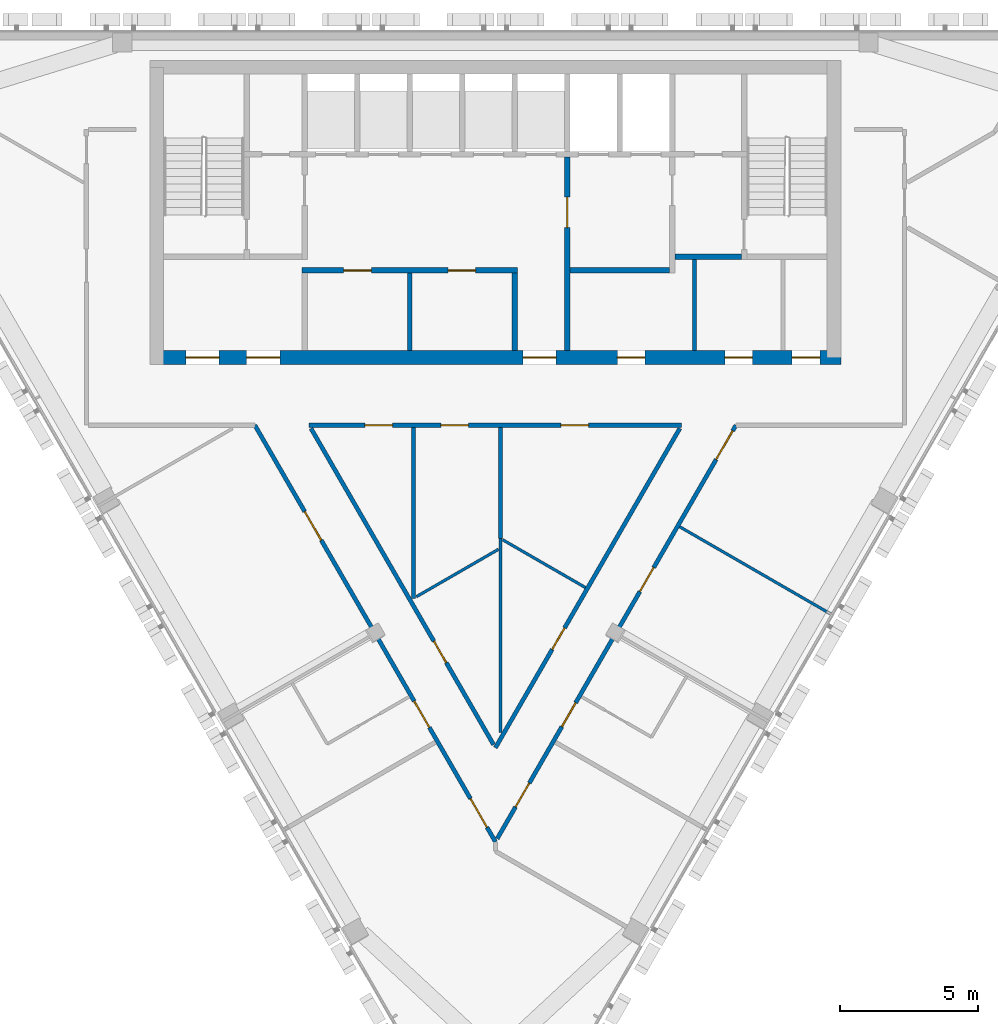
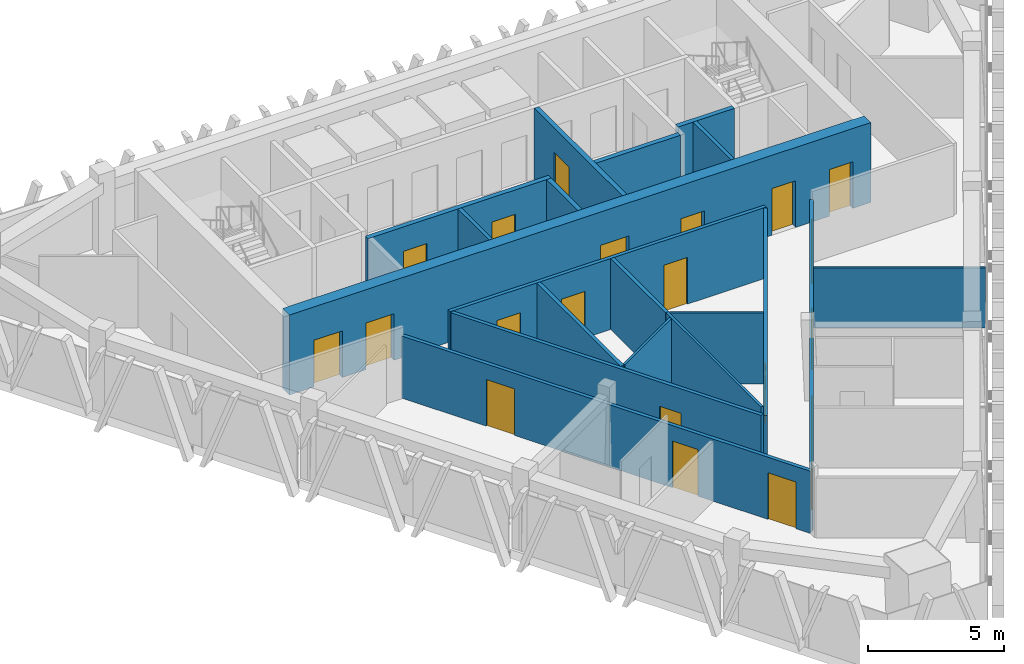
# One storey, part 8 of 14: 21 doors, 19 walls, 21 openings.
"""IFC4 building model written with IfcOpenShell, lengths in metres."""

from ifc_helpers import new_model, si_unit, direction, frame, frame_2d, origin, place, context, subcontext, project, spatial, rectangle, extrude, material, layer, layer_set, type_object, element, fill, save


model = new_model("IFC4")

# Units and contexts
model_context = context("Model", 3, precision=1e-05, world=origin(), true_north=direction((0.0, 1.0)))
body_context = subcontext(model_context, "Body", "Model", "MODEL_VIEW")
ifc_project = project(units=[si_unit("LENGTHUNIT", "METRE"), si_unit("AREAUNIT", "SQUARE_METRE"), si_unit("VOLUMEUNIT", "CUBIC_METRE"), si_unit("PLANEANGLEUNIT", "RADIAN"), si_unit("MASSUNIT", "GRAM", prefix="KILO")], contexts=[model_context])

# Site, building, storey
site_placement = place(None, origin())
site = spatial("IfcSite", under=ifc_project, at=site_placement, CompositionType="ELEMENT")
building_placement = place(site_placement, origin())
building = spatial("IfcBuilding", under=site, at=building_placement, Name="Altiplano Prism Tower", CompositionType="ELEMENT")
storey_placement = place(building_placement, frame((0.0, 0.0, 295.0)))
storey = spatial("IfcBuildingStorey", under=building, at=storey_placement, Name="L76", CompositionType="ELEMENT", Elevation=295.0)

# Wall, openings, doors
ifc_material_1 = material(Name="Concrete C60/75", Category="concrete")
ifc_layer_1 = layer(ifc_material_1, 0.5)
ifc_layer_set_1 = layer_set([ifc_layer_1], Name="Concrete C60/75")
wall_type_1 = type_object("IfcWallType", Name="Core wall 500", PredefinedType="SHEAR", material=ifc_layer_set_1)
wall_1_placement = place(storey_placement, frame((72.75, 93.14990234375, 0.0), z_axis=(0.0, 0.0, 1.0), x_axis=(1.0, 0.0, 0.0)))
wall_1 = element("IfcWall", 1, at=wall_1_placement, inside=storey, type_object=wall_type_1, Name="Core wall S L76", PredefinedType="SHEAR", context=body_context, shape_type="SweptSolid", body=[
    extrude(rectangle(XDim=24.75, YDim=0.5, at=frame_2d((12.375, 0.0))), origin(), (0.0, 0.0, 1.0), 3.60009765625),
])
opening_1_placement = place(wall_1_placement, frame((1.050048828125, 0.0, 0.0)))
opening_1 = element("IfcOpeningElement", 2, at=opening_1_placement, cuts=wall_1, Name="Opening D3653", PredefinedType="OPENING", context=body_context, shape_type="SweptSolid", body=[
    extrude(rectangle(XDim=1.199951171875, YDim=2.10009765625, at=frame_2d((0.60009765625, 1.050048828125))), frame((0.0, 0.260498046875, 0.0), z_axis=(0.0, -1.0, 0.0), x_axis=(1.0, 0.0, 0.0)), (0.0, 0.0, 1.0), 0.52099609375),
])
opening_2_placement = place(wall_1_placement, frame((3.25, 0.0, 0.0)))
opening_2 = element("IfcOpeningElement", 3, at=opening_2_placement, cuts=wall_1, Name="Opening D3654", PredefinedType="OPENING", context=body_context, shape_type="SweptSolid", body=[
    extrude(rectangle(XDim=1.199951171875, YDim=2.10009765625, at=frame_2d((0.60009765625, 1.050048828125))), frame((0.0, 0.260498046875, 0.0), z_axis=(0.0, -1.0, 0.0), x_axis=(1.0, 0.0, 0.0)), (0.0, 0.0, 1.0), 0.52099609375),
])
opening_3_placement = place(wall_1_placement, frame((13.25, 0.0, 0.0)))
opening_3 = element("IfcOpeningElement", 4, at=opening_3_placement, cuts=wall_1, Name="Opening D3655", PredefinedType="OPENING", context=body_context, shape_type="SweptSolid", body=[
    extrude(rectangle(XDim=1.199951171875, YDim=2.10009765625, at=frame_2d((0.60009765625, 1.050048828125))), frame((0.0, 0.260498046875, 0.0), z_axis=(0.0, -1.0, 0.0), x_axis=(1.0, 0.0, 0.0)), (0.0, 0.0, 1.0), 0.52099609375),
])
opening_4_placement = place(wall_1_placement, frame((16.66259765625, 0.0, 0.0)))
opening_4 = element("IfcOpeningElement", 5, at=opening_4_placement, cuts=wall_1, Name="Opening D3658", PredefinedType="OPENING", context=body_context, shape_type="SweptSolid", body=[
    extrude(rectangle(XDim=1.0, YDim=2.10009765625, at=frame_2d((0.5, 1.050048828125))), frame((0.0, 0.260498046875, 0.0), z_axis=(0.0, -1.0, 0.0), x_axis=(1.0, 0.0, 0.0)), (0.0, 0.0, 1.0), 0.52099609375),
])
opening_5_placement = place(wall_1_placement, frame((20.550048828125, 0.0, 0.0)))
opening_5 = element("IfcOpeningElement", 6, at=opening_5_placement, cuts=wall_1, Name="Opening D3659", PredefinedType="OPENING", context=body_context, shape_type="SweptSolid", body=[
    extrude(rectangle(XDim=1.0, YDim=2.10009765625, at=frame_2d((0.5, 1.050048828125))), frame((0.0, 0.260498046875, 0.0), z_axis=(0.0, -1.0, 0.0), x_axis=(1.0, 0.0, 0.0)), (0.0, 0.0, 1.0), 0.52099609375),
])
opening_6_placement = place(wall_1_placement, frame((22.987548828125, 0.0, 0.0)))
opening_6 = element("IfcOpeningElement", 7, at=opening_6_placement, cuts=wall_1, Name="Opening D3660", PredefinedType="OPENING", context=body_context, shape_type="SweptSolid", body=[
    extrude(rectangle(XDim=1.0, YDim=2.10009765625, at=frame_2d((0.5, 1.050048828125))), frame((0.0, 0.260498046875, 0.0), z_axis=(0.0, -1.0, 0.0), x_axis=(1.0, 0.0, 0.0)), (0.0, 0.0, 1.0), 0.52099609375),
])
ifc_material_2 = material(Name="Fire-rated steel door", Category="steel")
door_type_1 = type_object("IfcDoorType", Name="Core room door 1000 x 2100", OperationType="NOTDEFINED", PredefinedType="NOTDEFINED", material=ifc_material_2)
door_1_placement = place(opening_4_placement, origin())
door_1 = element("IfcDoor", 8, at=door_1_placement, inside=storey, type_object=door_type_1, Name="Core room door D3658", OperationType="SINGLE_SWING_RIGHT", OverallHeight=2.10009765625, OverallWidth=1.0, PredefinedType="NOTDEFINED", context=body_context, shape_type="SweptSolid", body=[
    extrude(rectangle(XDim=1.0, YDim=2.10009765625, at=frame_2d((0.5, 1.050048828125))), frame((0.0, 0.02490234375, 0.0), z_axis=(0.0, -1.0, 0.0), x_axis=(1.0, 0.0, 0.0)), (0.0, 0.0, 1.0), 0.050048828125),
])
fill(opening_4, door_1)
door_2_placement = place(opening_5_placement, origin())
door_2 = element("IfcDoor", 9, at=door_2_placement, inside=storey, type_object=door_type_1, Name="Core room door D3659", OperationType="SINGLE_SWING_LEFT", OverallHeight=2.10009765625, OverallWidth=1.0, PredefinedType="NOTDEFINED", context=body_context, shape_type="SweptSolid", body=[
    extrude(rectangle(XDim=1.0, YDim=2.10009765625, at=frame_2d((0.5, 1.050048828125))), frame((0.0, 0.02490234375, 0.0), z_axis=(0.0, -1.0, 0.0), x_axis=(1.0, 0.0, 0.0)), (0.0, 0.0, 1.0), 0.050048828125),
])
fill(opening_5, door_2)
door_3_placement = place(opening_6_placement, origin())
door_3 = element("IfcDoor", 10, at=door_3_placement, inside=storey, type_object=door_type_1, Name="Core room door D3660", OperationType="SINGLE_SWING_RIGHT", OverallHeight=2.10009765625, OverallWidth=1.0, PredefinedType="NOTDEFINED", context=body_context, shape_type="SweptSolid", body=[
    extrude(rectangle(XDim=1.0, YDim=2.10009765625, at=frame_2d((0.5, 1.050048828125))), frame((0.0, 0.02490234375, 0.0), z_axis=(0.0, -1.0, 0.0), x_axis=(1.0, 0.0, 0.0)), (0.0, 0.0, 1.0), 0.050048828125),
])
fill(opening_6, door_3)
door_type_2 = type_object("IfcDoorType", Name="Lobby fire door 1200 x 2100", OperationType="NOTDEFINED", PredefinedType="NOTDEFINED", material=ifc_material_2)
door_4_placement = place(opening_1_placement, origin())
door_4 = element("IfcDoor", 11, at=door_4_placement, inside=storey, type_object=door_type_2, Name="Lobby fire door D3653", OperationType="SINGLE_SWING_RIGHT", OverallHeight=2.10009765625, OverallWidth=1.199951171875, PredefinedType="NOTDEFINED", context=body_context, shape_type="SweptSolid", body=[
    extrude(rectangle(XDim=1.199951171875, YDim=2.10009765625, at=frame_2d((0.60009765625, 1.050048828125))), frame((0.0, 0.02490234375, 0.0), z_axis=(0.0, -1.0, 0.0), x_axis=(1.0, 0.0, 0.0)), (0.0, 0.0, 1.0), 0.050048828125),
])
fill(opening_1, door_4)
door_5_placement = place(opening_2_placement, origin())
door_5 = element("IfcDoor", 12, at=door_5_placement, inside=storey, type_object=door_type_2, Name="Lobby fire door D3654", OperationType="SINGLE_SWING_LEFT", OverallHeight=2.10009765625, OverallWidth=1.199951171875, PredefinedType="NOTDEFINED", context=body_context, shape_type="SweptSolid", body=[
    extrude(rectangle(XDim=1.199951171875, YDim=2.10009765625, at=frame_2d((0.60009765625, 1.050048828125))), frame((0.0, 0.02490234375, 0.0), z_axis=(0.0, -1.0, 0.0), x_axis=(1.0, 0.0, 0.0)), (0.0, 0.0, 1.0), 0.050048828125),
])
fill(opening_2, door_5)
door_6_placement = place(opening_3_placement, origin())
door_6 = element("IfcDoor", 13, at=door_6_placement, inside=storey, type_object=door_type_2, Name="Lobby fire door D3655", OperationType="SINGLE_SWING_RIGHT", OverallHeight=2.10009765625, OverallWidth=1.199951171875, PredefinedType="NOTDEFINED", context=body_context, shape_type="SweptSolid", body=[
    extrude(rectangle(XDim=1.199951171875, YDim=2.10009765625, at=frame_2d((0.60009765625, 1.050048828125))), frame((0.0, 0.02490234375, 0.0), z_axis=(0.0, -1.0, 0.0), x_axis=(1.0, 0.0, 0.0)), (0.0, 0.0, 1.0), 0.050048828125),
])
fill(opening_3, door_6)

# Walls
ifc_material_3 = material(Name="Plasterboard on steel stud", Category="steel")
ifc_layer_2 = layer(ifc_material_3, 0.10009765625)
ifc_layer_set_2 = layer_set([ifc_layer_2], Name="Plasterboard on steel stud")
wall_type_2 = type_object("IfcWallType", Name="Partition 100 wet", PredefinedType="PARTITIONING", material=ifc_layer_set_2)
wall_2_placement = place(storey_placement, frame((85.187744140625, 86.619140625, 0.0), z_axis=(0.0, 0.0, 1.0), x_axis=(0.0, -1.0, 0.0)))
element("IfcWall", 14, at=wall_2_placement, inside=storey, type_object=wall_type_2, Name="Partition P03 L76 012", PredefinedType="PARTITIONING", context=body_context, shape_type="SweptSolid", body=[
    extrude(rectangle(XDim=7.027587890625, YDim=0.10009765625, at=frame_2d((3.513671875, 0.0))), origin(), (0.0, 0.0, 1.0), 3.199951171875),
])
wall_3_placement = place(storey_placement, frame((88.259521484375, 84.82568359375, 0.0), z_axis=(0.0, 0.0, 1.0), x_axis=(-0.866024626421, 0.500001346431, 0.0)))
element("IfcWall", 15, at=wall_3_placement, inside=storey, type_object=wall_type_2, Name="Partition P03 L76 013", PredefinedType="PARTITIONING", context=body_context, shape_type="SweptSolid", body=[
    extrude(rectangle(XDim=3.46044921875, YDim=0.10009765625, at=frame_2d((1.730224609375, 0.0))), origin(), (0.0, 0.0, 1.0), 3.199951171875),
])
wall_4_placement = place(storey_placement, frame((85.112548828125, 86.2119140625, 0.0), z_axis=(0.0, 0.0, 1.0), x_axis=(-0.866024528585, -0.500001515888, 0.0)))
element("IfcWall", 16, at=wall_4_placement, inside=storey, type_object=wall_type_2, Name="Partition P03 L76 014", PredefinedType="PARTITIONING", context=body_context, shape_type="SweptSolid", body=[
    extrude(rectangle(XDim=3.43310546875, YDim=0.10009765625, at=frame_2d((1.716552734375, 0.0))), origin(), (0.0, 0.0, 1.0), 3.199951171875),
])
wall_5_placement = place(storey_placement, frame((97.16259765625, 83.85400390625, 0.0), z_axis=(0.0, 0.0, 1.0), x_axis=(-0.866042062017, 0.499971145986, 0.0)))
element("IfcWall", 17, at=wall_5_placement, inside=storey, type_object=wall_type_2, Name="Partition P03 L76 030", PredefinedType="PARTITIONING", context=body_context, shape_type="SweptSolid", body=[
    extrude(rectangle(XDim=6.344970703125, YDim=0.10009765625, at=frame_2d((3.17236328125, 0.0))), origin(), (0.0, 0.0, 1.0), 2.699951171875),
])

# Wall, opening, door
ifc_layer_3 = layer(ifc_material_3, 0.14990234375)
ifc_layer_set_3 = layer_set([ifc_layer_3], Name="Plasterboard on steel stud")
wall_type_3 = type_object("IfcWallType", Name="Partition 150 corridor", PredefinedType="PARTITIONING", material=ifc_layer_set_3)
wall_6_placement = place(storey_placement, frame((84.93505859375, 79.142578125, 0.0), z_axis=(0.0, 0.0, 1.0), x_axis=(-0.50000392811, 0.866023135877, 0.0)))
wall_6 = element("IfcWall", 18, at=wall_6_placement, inside=storey, type_object=wall_type_3, Name="Partition P06 L76 001", PredefinedType="PARTITIONING", context=body_context, shape_type="SweptSolid", body=[
    extrude(rectangle(XDim=13.21435546875, YDim=0.14990234375, at=frame_2d((6.607177734375, 0.0))), origin(), (0.0, 0.0, 1.0), 3.199951171875),
])
opening_7_placement = place(wall_6_placement, frame((3.424072265625, 0.0, 0.0)))
opening_7 = element("IfcOpeningElement", 19, at=opening_7_placement, cuts=wall_6, Name="Opening D2325", PredefinedType="OPENING", context=body_context, shape_type="SweptSolid", body=[
    extrude(rectangle(XDim=0.89990234375, YDim=2.10009765625, at=frame_2d((0.449951171875, 1.050048828125))), frame((0.0, 0.08544921875, 0.0), z_axis=(0.0, -1.0, 0.0), x_axis=(1.0, 0.0, 0.0)), (0.0, 0.0, 1.0), 0.1708984375),
])
ifc_material_4 = material(Name="Timber", Category="wood")
door_type_3 = type_object("IfcDoorType", Name="Toilet door 900 x 2100", OperationType="NOTDEFINED", PredefinedType="NOTDEFINED", material=ifc_material_4)
door_7_placement = place(opening_7_placement, origin())
door_7 = element("IfcDoor", 20, at=door_7_placement, inside=storey, type_object=door_type_3, Name="Door D2325", OperationType="SINGLE_SWING_LEFT", OverallHeight=2.10009765625, OverallWidth=0.89990234375, PredefinedType="NOTDEFINED", context=body_context, shape_type="SweptSolid", body=[
    extrude(rectangle(XDim=0.89990234375, YDim=2.10009765625, at=frame_2d((0.449951171875, 1.050048828125))), frame((0.0, 0.02490234375, 0.0), z_axis=(0.0, -1.0, 0.0), x_axis=(1.0, 0.0, 0.0)), (0.0, 0.0, 1.0), 0.050048828125),
])
fill(opening_7, door_7)

# Wall, openings, doors
wall_7_placement = place(storey_placement, frame((78.262939453125, 90.698974609375, 0.0), z_axis=(0.0, 0.0, 1.0), x_axis=(1.0, 0.0, 0.0)))
wall_7 = element("IfcWall", 21, at=wall_7_placement, inside=storey, type_object=wall_type_3, Name="Partition P06 L76 002", PredefinedType="PARTITIONING", context=body_context, shape_type="SweptSolid", body=[
    extrude(rectangle(XDim=13.47412109375, YDim=0.14990234375, at=frame_2d((6.737060546875, 0.0))), origin(), (0.0, 0.0, 1.0), 3.199951171875),
])
opening_8_placement = place(wall_7_placement, frame((2.01611328125, 0.0, 0.0)))
opening_8 = element("IfcOpeningElement", 22, at=opening_8_placement, cuts=wall_7, Name="Opening D2326", PredefinedType="OPENING", context=body_context, shape_type="SweptSolid", body=[
    extrude(rectangle(XDim=1.0, YDim=2.10009765625, at=frame_2d((0.5, 1.050048828125))), frame((0.0, 0.08544921875, 0.0), z_axis=(0.0, -1.0, 0.0), x_axis=(1.0, 0.0, 0.0)), (0.0, 0.0, 1.0), 0.1708984375),
])
opening_9_placement = place(wall_7_placement, frame((4.761962890625, 0.0, 0.0)))
opening_9 = element("IfcOpeningElement", 23, at=opening_9_placement, cuts=wall_7, Name="Opening D2327", PredefinedType="OPENING", context=body_context, shape_type="SweptSolid", body=[
    extrude(rectangle(XDim=1.0, YDim=2.10009765625, at=frame_2d((0.5, 1.050048828125))), frame((0.0, 0.08544921875, 0.0), z_axis=(0.0, -1.0, 0.0), x_axis=(1.0, 0.0, 0.0)), (0.0, 0.0, 1.0), 0.1708984375),
])
opening_10_placement = place(wall_7_placement, frame((9.10888671875, 0.0, 0.0)))
opening_10 = element("IfcOpeningElement", 24, at=opening_10_placement, cuts=wall_7, Name="Opening D2339", PredefinedType="OPENING", context=body_context, shape_type="SweptSolid", body=[
    extrude(rectangle(XDim=1.0, YDim=2.10009765625, at=frame_2d((0.5, 1.050048828125))), frame((0.0, 0.08544921875, 0.0), z_axis=(0.0, -1.0, 0.0), x_axis=(1.0, 0.0, 0.0)), (0.0, 0.0, 1.0), 0.1708984375),
])
door_type_4 = type_object("IfcDoorType", Name="Room door 1000 x 2100", OperationType="NOTDEFINED", PredefinedType="NOTDEFINED", material=ifc_material_4)
door_8_placement = place(opening_9_placement, origin())
door_8 = element("IfcDoor", 25, at=door_8_placement, inside=storey, type_object=door_type_4, Name="Door D2327", OperationType="SINGLE_SWING_RIGHT", OverallHeight=2.10009765625, OverallWidth=1.0, PredefinedType="NOTDEFINED", context=body_context, shape_type="SweptSolid", body=[
    extrude(rectangle(XDim=1.0, YDim=2.10009765625, at=frame_2d((0.5, 1.050048828125))), frame((0.0, 0.02490234375, 0.0), z_axis=(0.0, -1.0, 0.0), x_axis=(1.0, 0.0, 0.0)), (0.0, 0.0, 1.0), 0.050048828125),
])
fill(opening_9, door_8)
door_9_placement = place(opening_10_placement, origin())
door_9 = element("IfcDoor", 26, at=door_9_placement, inside=storey, type_object=door_type_4, Name="Door D2339", OperationType="SINGLE_SWING_RIGHT", OverallHeight=2.10009765625, OverallWidth=1.0, PredefinedType="NOTDEFINED", context=body_context, shape_type="SweptSolid", body=[
    extrude(rectangle(XDim=1.0, YDim=2.10009765625, at=frame_2d((0.5, 1.050048828125))), frame((0.0, 0.02490234375, 0.0), z_axis=(0.0, -1.0, 0.0), x_axis=(1.0, 0.0, 0.0)), (0.0, 0.0, 1.0), 0.050048828125),
])
fill(opening_10, door_9)
door_type_5 = type_object("IfcDoorType", Name="Store door 1000 x 2100", OperationType="NOTDEFINED", PredefinedType="NOTDEFINED", material=ifc_material_4)
door_10_placement = place(opening_8_placement, origin())
door_10 = element("IfcDoor", 27, at=door_10_placement, inside=storey, type_object=door_type_5, Name="Door D2326", OperationType="SINGLE_SWING_RIGHT", OverallHeight=2.10009765625, OverallWidth=1.0, PredefinedType="NOTDEFINED", context=body_context, shape_type="SweptSolid", body=[
    extrude(rectangle(XDim=1.0, YDim=2.10009765625, at=frame_2d((0.5, 1.050048828125))), frame((0.0, 0.02490234375, 0.0), z_axis=(0.0, -1.0, 0.0), x_axis=(1.0, 0.0, 0.0)), (0.0, 0.0, 1.0), 0.050048828125),
])
fill(opening_8, door_10)

wall_8_placement = place(storey_placement, frame((76.298095703125, 90.699951171875, 0.0), z_axis=(0.0, 0.0, 1.0), x_axis=(0.5000029578, -0.866023696091, 0.0)))
wall_8 = element("IfcWall", 28, at=wall_8_placement, inside=storey, type_object=wall_type_3, Name="Partition P06 L76 005", PredefinedType="PARTITIONING", context=body_context, shape_type="SweptSolid", body=[
    extrude(rectangle(XDim=17.40380859375, YDim=0.14990234375, at=frame_2d((8.701904296875, 0.0))), origin(), (0.0, 0.0, 1.0), 2.800048828125),
])
opening_11_placement = place(wall_8_placement, frame((3.60400390625, 0.0, 0.0)))
opening_11 = element("IfcOpeningElement", 29, at=opening_11_placement, cuts=wall_8, Name="Opening D2329", PredefinedType="OPENING", context=body_context, shape_type="SweptSolid", body=[
    extrude(rectangle(XDim=1.199951171875, YDim=2.10009765625, at=frame_2d((0.60009765625, 1.050048828125))), frame((0.0, 0.08544921875, 0.0), z_axis=(0.0, -1.0, 0.0), x_axis=(1.0, 0.0, 0.0)), (0.0, 0.0, 1.0), 0.1708984375),
])
opening_12_placement = place(wall_8_placement, frame((11.528076171875, 0.0, 0.0)))
opening_12 = element("IfcOpeningElement", 30, at=opening_12_placement, cuts=wall_8, Name="Opening D2330", PredefinedType="OPENING", context=body_context, shape_type="SweptSolid", body=[
    extrude(rectangle(XDim=1.10009765625, YDim=2.10009765625, at=frame_2d((0.550048828125, 1.050048828125))), frame((0.0, 0.08544921875, 0.0), z_axis=(0.0, -1.0, 0.0), x_axis=(1.0, 0.0, 0.0)), (0.0, 0.0, 1.0), 0.1708984375),
])
opening_13_placement = place(wall_8_placement, frame((15.59912109375, 0.0, 0.0)))
opening_13 = element("IfcOpeningElement", 31, at=opening_13_placement, cuts=wall_8, Name="Opening D2332", PredefinedType="OPENING", context=body_context, shape_type="SweptSolid", body=[
    extrude(rectangle(XDim=1.199951171875, YDim=2.10009765625, at=frame_2d((0.60009765625, 1.050048828125))), frame((0.0, 0.08544921875, 0.0), z_axis=(0.0, -1.0, 0.0), x_axis=(1.0, 0.0, 0.0)), (0.0, 0.0, 1.0), 0.1708984375),
])
door_type_6 = type_object("IfcDoorType", Name="Accessible bedroom door 1100 x 2100", OperationType="NOTDEFINED", PredefinedType="NOTDEFINED", material=ifc_material_4)
door_11_placement = place(opening_12_placement, origin())
door_11 = element("IfcDoor", 32, at=door_11_placement, inside=storey, type_object=door_type_6, Name="Door D2330", OperationType="SINGLE_SWING_RIGHT", OverallHeight=2.10009765625, OverallWidth=1.10009765625, PredefinedType="NOTDEFINED", context=body_context, shape_type="SweptSolid", body=[
    extrude(rectangle(XDim=1.10009765625, YDim=2.10009765625, at=frame_2d((0.550048828125, 1.050048828125))), frame((0.0, 0.02490234375, 0.0), z_axis=(0.0, -1.0, 0.0), x_axis=(1.0, 0.0, 0.0)), (0.0, 0.0, 1.0), 0.050048828125),
])
fill(opening_12, door_11)
door_type_7 = type_object("IfcDoorType", Name="Shared room door 1200 x 2100", OperationType="NOTDEFINED", PredefinedType="NOTDEFINED", material=ifc_material_4)
door_12_placement = place(opening_11_placement, origin())
door_12 = element("IfcDoor", 33, at=door_12_placement, inside=storey, type_object=door_type_7, Name="Door D2329", OperationType="SINGLE_SWING_LEFT", OverallHeight=2.10009765625, OverallWidth=1.199951171875, PredefinedType="NOTDEFINED", context=body_context, shape_type="SweptSolid", body=[
    extrude(rectangle(XDim=1.199951171875, YDim=2.10009765625, at=frame_2d((0.60009765625, 1.050048828125))), frame((0.0, 0.02490234375, 0.0), z_axis=(0.0, -1.0, 0.0), x_axis=(1.0, 0.0, 0.0)), (0.0, 0.0, 1.0), 0.050048828125),
])
fill(opening_11, door_12)
door_13_placement = place(opening_13_placement, origin())
door_13 = element("IfcDoor", 34, at=door_13_placement, inside=storey, type_object=door_type_7, Name="Door D2332", OperationType="SINGLE_SWING_RIGHT", OverallHeight=2.10009765625, OverallWidth=1.199951171875, PredefinedType="NOTDEFINED", context=body_context, shape_type="SweptSolid", body=[
    extrude(rectangle(XDim=1.199951171875, YDim=2.10009765625, at=frame_2d((0.60009765625, 1.050048828125))), frame((0.0, 0.02490234375, 0.0), z_axis=(0.0, -1.0, 0.0), x_axis=(1.0, 0.0, 0.0)), (0.0, 0.0, 1.0), 0.050048828125),
])
fill(opening_13, door_13)

wall_9_placement = place(storey_placement, frame((85.06494140625, 75.740478515625, 0.0), z_axis=(0.0, 0.0, 1.0), x_axis=(0.500004659904, 0.866022713371, 0.0)))
wall_9 = element("IfcWall", 35, at=wall_9_placement, inside=storey, type_object=wall_type_3, Name="Partition P06 L76 006", PredefinedType="PARTITIONING", context=body_context, shape_type="SweptSolid", body=[
    extrude(rectangle(XDim=17.273681640625, YDim=0.14990234375, at=frame_2d((8.63671875, 0.0))), origin(), (0.0, 0.0, 1.0), 2.800048828125),
])
opening_14_placement = place(wall_9_placement, frame((1.326904296875, 0.0, 0.0)))
opening_14 = element("IfcOpeningElement", 36, at=opening_14_placement, cuts=wall_9, Name="Opening D2333", PredefinedType="OPENING", context=body_context, shape_type="SweptSolid", body=[
    extrude(rectangle(XDim=1.0, YDim=2.10009765625, at=frame_2d((0.5, 1.050048828125))), frame((0.0, 0.08544921875, 0.0), z_axis=(0.0, -1.0, 0.0), x_axis=(1.0, 0.0, 0.0)), (0.0, 0.0, 1.0), 0.1708984375),
])
opening_15_placement = place(wall_9_placement, frame((4.679931640625, 0.0, 0.0)))
opening_15 = element("IfcOpeningElement", 37, at=opening_15_placement, cuts=wall_9, Name="Opening D2334", PredefinedType="OPENING", context=body_context, shape_type="SweptSolid", body=[
    extrude(rectangle(XDim=1.0, YDim=2.10009765625, at=frame_2d((0.5, 1.050048828125))), frame((0.0, 0.08544921875, 0.0), z_axis=(0.0, -1.0, 0.0), x_axis=(1.0, 0.0, 0.0)), (0.0, 0.0, 1.0), 0.1708984375),
])
opening_16_placement = place(wall_9_placement, frame((10.324951171875, 0.0, 0.0)))
opening_16 = element("IfcOpeningElement", 38, at=opening_16_placement, cuts=wall_9, Name="Opening D2336", PredefinedType="OPENING", context=body_context, shape_type="SweptSolid", body=[
    extrude(rectangle(XDim=1.0, YDim=2.10009765625, at=frame_2d((0.5, 1.050048828125))), frame((0.0, 0.08544921875, 0.0), z_axis=(0.0, -1.0, 0.0), x_axis=(1.0, 0.0, 0.0)), (0.0, 0.0, 1.0), 0.1708984375),
])
opening_17_placement = place(wall_9_placement, frame((15.841064453125, 0.0, 0.0)))
opening_17 = element("IfcOpeningElement", 39, at=opening_17_placement, cuts=wall_9, Name="Opening D2337", PredefinedType="OPENING", context=body_context, shape_type="SweptSolid", body=[
    extrude(rectangle(XDim=1.199951171875, YDim=2.10009765625, at=frame_2d((0.60009765625, 1.050048828125))), frame((0.0, 0.08544921875, 0.0), z_axis=(0.0, -1.0, 0.0), x_axis=(1.0, 0.0, 0.0)), (0.0, 0.0, 1.0), 0.1708984375),
])
door_type_8 = type_object("IfcDoorType", Name="Bedroom entrance door 1000 x 2100", OperationType="NOTDEFINED", PredefinedType="NOTDEFINED", material=ifc_material_4)
door_14_placement = place(opening_15_placement, origin())
door_14 = element("IfcDoor", 40, at=door_14_placement, inside=storey, type_object=door_type_8, Name="Door D2334", OperationType="SINGLE_SWING_LEFT", OverallHeight=2.10009765625, OverallWidth=1.0, PredefinedType="NOTDEFINED", context=body_context, shape_type="SweptSolid", body=[
    extrude(rectangle(XDim=1.0, YDim=2.10009765625, at=frame_2d((0.5, 1.050048828125))), frame((0.0, 0.02490234375, 0.0), z_axis=(0.0, -1.0, 0.0), x_axis=(1.0, 0.0, 0.0)), (0.0, 0.0, 1.0), 0.050048828125),
])
fill(opening_15, door_14)
door_15_placement = place(opening_14_placement, origin())
door_15 = element("IfcDoor", 41, at=door_15_placement, inside=storey, type_object=door_type_4, Name="Door D2333", OperationType="SINGLE_SWING_LEFT", OverallHeight=2.10009765625, OverallWidth=1.0, PredefinedType="NOTDEFINED", context=body_context, shape_type="SweptSolid", body=[
    extrude(rectangle(XDim=1.0, YDim=2.10009765625, at=frame_2d((0.5, 1.050048828125))), frame((0.0, 0.02490234375, 0.0), z_axis=(0.0, -1.0, 0.0), x_axis=(1.0, 0.0, 0.0)), (0.0, 0.0, 1.0), 0.050048828125),
])
fill(opening_14, door_15)
door_16_placement = place(opening_16_placement, origin())
door_16 = element("IfcDoor", 42, at=door_16_placement, inside=storey, type_object=door_type_4, Name="Door D2336", OperationType="SINGLE_SWING_RIGHT", OverallHeight=2.10009765625, OverallWidth=1.0, PredefinedType="NOTDEFINED", context=body_context, shape_type="SweptSolid", body=[
    extrude(rectangle(XDim=1.0, YDim=2.10009765625, at=frame_2d((0.5, 1.050048828125))), frame((0.0, 0.02490234375, 0.0), z_axis=(0.0, -1.0, 0.0), x_axis=(1.0, 0.0, 0.0)), (0.0, 0.0, 1.0), 0.050048828125),
])
fill(opening_16, door_16)
door_17_placement = place(opening_17_placement, origin())
door_17 = element("IfcDoor", 43, at=door_17_placement, inside=storey, type_object=door_type_7, Name="Door D2337", OperationType="SINGLE_SWING_LEFT", OverallHeight=2.10009765625, OverallWidth=1.199951171875, PredefinedType="NOTDEFINED", context=body_context, shape_type="SweptSolid", body=[
    extrude(rectangle(XDim=1.199951171875, YDim=2.10009765625, at=frame_2d((0.60009765625, 1.050048828125))), frame((0.0, 0.02490234375, 0.0), z_axis=(0.0, -1.0, 0.0), x_axis=(1.0, 0.0, 0.0)), (0.0, 0.0, 1.0), 0.050048828125),
])
fill(opening_17, door_17)

# Wall, opening, door
wall_10_placement = place(storey_placement, frame((91.672119140625, 90.58642578125, 0.0), z_axis=(0.0, 0.0, 1.0), x_axis=(-0.500001715324, -0.866024413439, 0.0)))
wall_10 = element("IfcWall", 44, at=wall_10_placement, inside=storey, type_object=wall_type_3, Name="Partition P06 L76 009", PredefinedType="PARTITIONING", context=body_context, shape_type="SweptSolid", body=[
    extrude(rectangle(XDim=13.34423828125, YDim=0.14990234375, at=frame_2d((6.672119140625, 0.0))), origin(), (0.0, 0.0, 1.0), 3.199951171875),
])
opening_18_placement = place(wall_10_placement, frame((8.3369140625, 0.0, 0.0)))
opening_18 = element("IfcOpeningElement", 45, at=opening_18_placement, cuts=wall_10, Name="Opening D2324", PredefinedType="OPENING", context=body_context, shape_type="SweptSolid", body=[
    extrude(rectangle(XDim=0.89990234375, YDim=2.10009765625, at=frame_2d((0.449951171875, 1.050048828125))), frame((0.0, 0.08544921875, 0.0), z_axis=(0.0, -1.0, 0.0), x_axis=(1.0, 0.0, 0.0)), (0.0, 0.0, 1.0), 0.1708984375),
])
door_18_placement = place(opening_18_placement, origin())
door_18 = element("IfcDoor", 46, at=door_18_placement, inside=storey, type_object=door_type_3, Name="Door D2324", OperationType="SINGLE_SWING_RIGHT", OverallHeight=2.10009765625, OverallWidth=0.89990234375, PredefinedType="NOTDEFINED", context=body_context, shape_type="SweptSolid", body=[
    extrude(rectangle(XDim=0.89990234375, YDim=2.10009765625, at=frame_2d((0.449951171875, 1.050048828125))), frame((0.0, 0.02490234375, 0.0), z_axis=(0.0, -1.0, 0.0), x_axis=(1.0, 0.0, 0.0)), (0.0, 0.0, 1.0), 0.050048828125),
])
fill(opening_18, door_18)

# Walls
ifc_layer_4 = layer(ifc_material_3, 0.14990234375)
ifc_layer_set_4 = layer_set([ifc_layer_4], Name="Plasterboard on steel stud")
wall_type_4 = type_object("IfcWallType", Name="Partition 150 party", PredefinedType="PARTITIONING", material=ifc_layer_set_4)
wall_11_placement = place(storey_placement, frame((82.039306640625, 84.4375, 0.0), z_axis=(0.0, 0.0, 1.0), x_axis=(0.0, 1.0, 0.0)))
element("IfcWall", 47, at=wall_11_placement, inside=storey, type_object=wall_type_4, Name="Partition P01 L76 015", PredefinedType="PARTITIONING", context=body_context, shape_type="SweptSolid", body=[
    extrude(rectangle(XDim=6.1865234375, YDim=0.14990234375, at=frame_2d((3.09326171875, 0.0))), origin(), (0.0, 0.0, 1.0), 3.199951171875),
])
wall_12_placement = place(storey_placement, frame((85.187744140625, 86.59912109375, 0.0), z_axis=(0.0, 0.0, 1.0), x_axis=(0.0, 1.0, 0.0)))
element("IfcWall", 48, at=wall_12_placement, inside=storey, type_object=wall_type_4, Name="Partition P01 L76 016", PredefinedType="PARTITIONING", context=body_context, shape_type="SweptSolid", body=[
    extrude(rectangle(XDim=4.02490234375, YDim=0.14990234375, at=frame_2d((2.012451171875, 0.0))), origin(), (0.0, 0.0, 1.0), 3.199951171875),
])
ifc_material_5 = material(Name="Fire-rated gypsum board partition")
ifc_layer_5 = layer(ifc_material_5, 0.14990234375)
ifc_layer_set_5 = layer_set([ifc_layer_5], Name="Fire-rated gypsum board partition")
wall_type_5 = type_object("IfcWallType", Name="Room partition 150", PredefinedType="PARTITIONING", material=ifc_layer_set_5)
wall_13_placement = place(storey_placement, frame((81.89990234375, 93.39990234375, 0.0), z_axis=(0.0, 0.0, 1.0), x_axis=(0.0, 1.0, 0.0)))
element("IfcWall", 49, at=wall_13_placement, inside=storey, type_object=wall_type_5, Name="Room partition L76", PredefinedType="PARTITIONING", context=body_context, shape_type="SweptSolid", body=[
    extrude(rectangle(XDim=2.800048828125, YDim=0.14990234375, at=frame_2d((1.39990234375, 0.0))), origin(), (0.0, 0.0, 1.0), 3.199951171875),
])
wall_14_placement = place(storey_placement, frame((92.199951171875, 93.39990234375, 0.0), z_axis=(0.0, 0.0, 1.0), x_axis=(0.0, 1.0, 0.0)))
element("IfcWall", 50, at=wall_14_placement, inside=storey, type_object=wall_type_5, Name="Room partition L76", PredefinedType="PARTITIONING", context=body_context, shape_type="SweptSolid", body=[
    extrude(rectangle(XDim=3.300048828125, YDim=0.14990234375, at=frame_2d((1.64990234375, 0.0))), origin(), (0.0, 0.0, 1.0), 3.199951171875),
])
ifc_layer_6 = layer(ifc_material_1, 0.199951171875)
ifc_layer_set_6 = layer_set([ifc_layer_6], Name="Concrete C60/75")
wall_type_6 = type_object("IfcWallType", Name="Vestibule wall 200", PredefinedType="PARTITIONING", material=ifc_layer_set_6)
wall_15_placement = place(storey_placement, frame((85.699951171875, 93.39990234375, 0.0), z_axis=(0.0, 0.0, 1.0), x_axis=(0.0, 1.0, 0.0)))
element("IfcWall", 51, at=wall_15_placement, inside=storey, type_object=wall_type_6, Name="Vestibule wall L76", PredefinedType="PARTITIONING", context=body_context, shape_type="SweptSolid", body=[
    extrude(rectangle(XDim=2.800048828125, YDim=0.199951171875, at=frame_2d((1.39990234375, 0.0))), origin(), (0.0, 0.0, 1.0), 3.199951171875),
])

# Wall, opening, door
wall_16_placement = place(storey_placement, frame((87.60009765625, 93.39990234375, 0.0), z_axis=(0.0, 0.0, 1.0), x_axis=(0.0, 1.0, 0.0)))
wall_16 = element("IfcWall", 52, at=wall_16_placement, inside=storey, type_object=wall_type_6, Name="Vestibule wall L76", PredefinedType="PARTITIONING", context=body_context, shape_type="SweptSolid", body=[
    extrude(rectangle(XDim=7.0, YDim=0.199951171875, at=frame_2d((3.5, 0.0))), origin(), (0.0, 0.0, 1.0), 3.199951171875),
])
opening_19_placement = place(wall_16_placement, frame((4.449951171875, 0.0, 0.0)))
opening_19 = element("IfcOpeningElement", 53, at=opening_19_placement, cuts=wall_16, Name="Opening D3651", PredefinedType="OPENING", context=body_context, shape_type="SweptSolid", body=[
    extrude(rectangle(XDim=1.10009765625, YDim=2.10009765625, at=frame_2d((0.550048828125, 1.050048828125))), frame((0.0, 0.1103515625, 0.0), z_axis=(0.0, -1.0, 0.0), x_axis=(1.0, 0.0, 0.0)), (0.0, 0.0, 1.0), 0.220947265625),
])
door_type_9 = type_object("IfcDoorType", Name="Vestibule fire door 1100 x 2100", OperationType="NOTDEFINED", PredefinedType="NOTDEFINED", material=ifc_material_2)
door_19_placement = place(opening_19_placement, origin())
door_19 = element("IfcDoor", 54, at=door_19_placement, inside=storey, type_object=door_type_9, Name="Vestibule fire door D3651", OperationType="SINGLE_SWING_RIGHT", OverallHeight=2.10009765625, OverallWidth=1.10009765625, PredefinedType="NOTDEFINED", context=body_context, shape_type="SweptSolid", body=[
    extrude(rectangle(XDim=1.10009765625, YDim=2.10009765625, at=frame_2d((0.550048828125, 1.050048828125))), frame((0.0, 0.02490234375, 0.0), z_axis=(0.0, -1.0, 0.0), x_axis=(1.0, 0.0, 0.0)), (0.0, 0.0, 1.0), 0.050048828125),
])
fill(opening_19, door_19)

# Wall, openings, doors
wall_17_placement = place(storey_placement, frame((78.0, 96.300048828125, 0.0), z_axis=(0.0, 0.0, 1.0), x_axis=(1.0, 0.0, 0.0)))
wall_17 = element("IfcWall", 55, at=wall_17_placement, inside=storey, type_object=wall_type_6, Name="Vestibule wall L76", PredefinedType="PARTITIONING", context=body_context, shape_type="SweptSolid", body=[
    extrude(rectangle(XDim=7.800048828125, YDim=0.199951171875, at=frame_2d((3.89990234375, 0.0))), origin(), (0.0, 0.0, 1.0), 3.199951171875),
])
opening_20_placement = place(wall_17_placement, frame((1.512451171875, 0.0, 0.0)))
opening_20 = element("IfcOpeningElement", 56, at=opening_20_placement, cuts=wall_17, Name="Opening D3661", PredefinedType="OPENING", context=body_context, shape_type="SweptSolid", body=[
    extrude(rectangle(XDim=1.0, YDim=2.10009765625, at=frame_2d((0.5, 1.050048828125))), frame((0.0, 0.1103515625, 0.0), z_axis=(0.0, -1.0, 0.0), x_axis=(1.0, 0.0, 0.0)), (0.0, 0.0, 1.0), 0.220947265625),
])
opening_21_placement = place(wall_17_placement, frame((5.28759765625, 0.0, 0.0)))
opening_21 = element("IfcOpeningElement", 57, at=opening_21_placement, cuts=wall_17, Name="Opening D3662", PredefinedType="OPENING", context=body_context, shape_type="SweptSolid", body=[
    extrude(rectangle(XDim=1.0, YDim=2.10009765625, at=frame_2d((0.5, 1.050048828125))), frame((0.0, 0.1103515625, 0.0), z_axis=(0.0, -1.0, 0.0), x_axis=(1.0, 0.0, 0.0)), (0.0, 0.0, 1.0), 0.220947265625),
])
door_20_placement = place(opening_20_placement, origin())
door_20 = element("IfcDoor", 58, at=door_20_placement, inside=storey, type_object=door_type_1, Name="Core room door D3661", OperationType="SINGLE_SWING_RIGHT", OverallHeight=2.10009765625, OverallWidth=1.0, PredefinedType="NOTDEFINED", context=body_context, shape_type="SweptSolid", body=[
    extrude(rectangle(XDim=1.0, YDim=2.10009765625, at=frame_2d((0.5, 1.050048828125))), frame((0.0, 0.02490234375, 0.0), z_axis=(0.0, -1.0, 0.0), x_axis=(1.0, 0.0, 0.0)), (0.0, 0.0, 1.0), 0.050048828125),
])
fill(opening_20, door_20)
door_21_placement = place(opening_21_placement, origin())
door_21 = element("IfcDoor", 59, at=door_21_placement, inside=storey, type_object=door_type_1, Name="Core room door D3662", OperationType="SINGLE_SWING_RIGHT", OverallHeight=2.10009765625, OverallWidth=1.0, PredefinedType="NOTDEFINED", context=body_context, shape_type="SweptSolid", body=[
    extrude(rectangle(XDim=1.0, YDim=2.10009765625, at=frame_2d((0.5, 1.050048828125))), frame((0.0, 0.02490234375, 0.0), z_axis=(0.0, -1.0, 0.0), x_axis=(1.0, 0.0, 0.0)), (0.0, 0.0, 1.0), 0.050048828125),
])
fill(opening_21, door_21)

# Walls
wall_18_placement = place(storey_placement, frame((87.699951171875, 96.300048828125, 0.0), z_axis=(0.0, 0.0, 1.0), x_axis=(1.0, 0.0, 0.0)))
element("IfcWall", 60, at=wall_18_placement, inside=storey, type_object=wall_type_6, Name="Vestibule wall L76", PredefinedType="PARTITIONING", context=body_context, shape_type="SweptSolid", body=[
    extrude(rectangle(XDim=3.60009765625, YDim=0.199951171875, at=frame_2d((1.800048828125, 0.0))), origin(), (0.0, 0.0, 1.0), 3.199951171875),
])
wall_19_placement = place(storey_placement, frame((91.5, 96.800048828125, 0.0), z_axis=(0.0, 0.0, 1.0), x_axis=(1.0, 0.0, 0.0)))
element("IfcWall", 61, at=wall_19_placement, inside=storey, type_object=wall_type_6, Name="Vestibule wall L76", PredefinedType="PARTITIONING", context=body_context, shape_type="SweptSolid", body=[
    extrude(rectangle(XDim=2.39990234375, YDim=0.199951171875, at=frame_2d((1.199951171875, 0.0))), origin(), (0.0, 0.0, 1.0), 3.199951171875),
])

save(model, "model.ifc")
